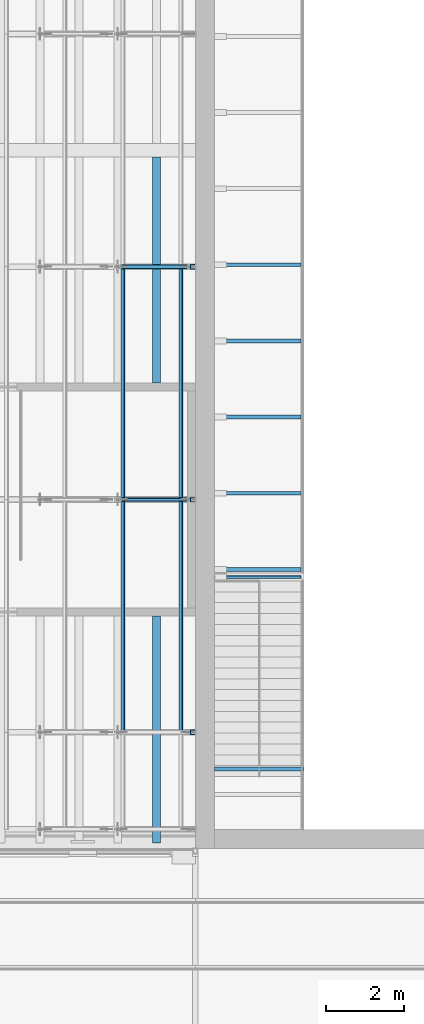
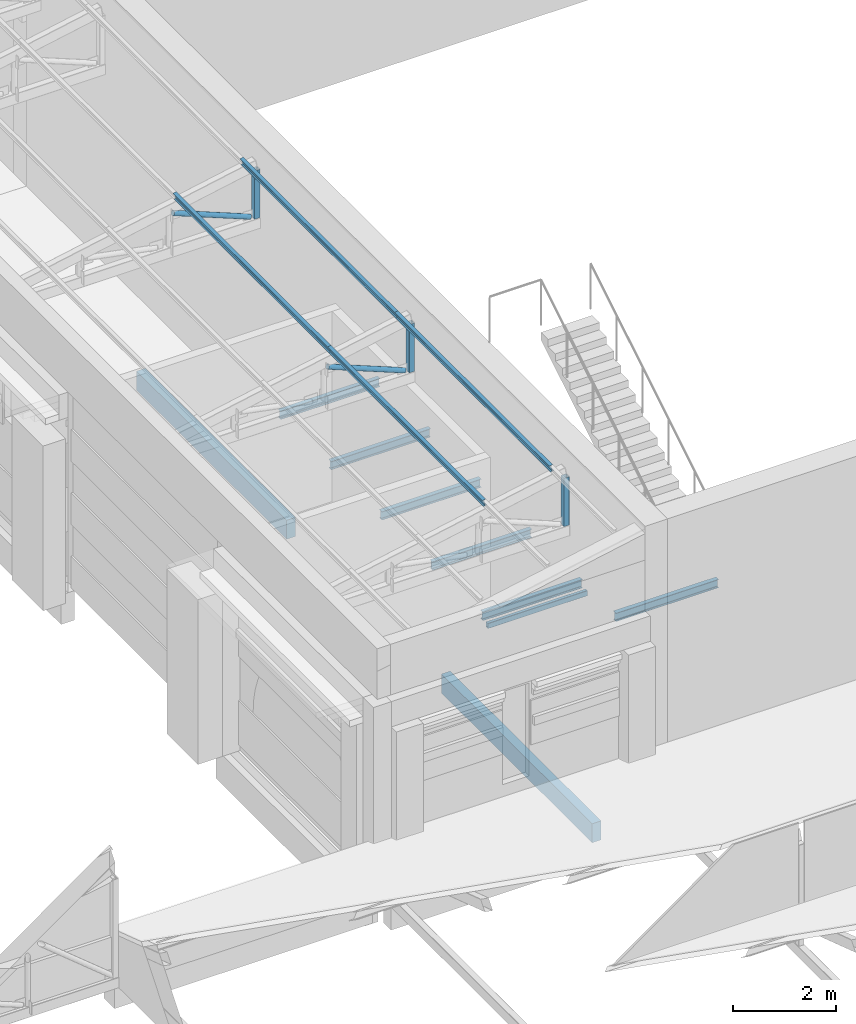
# One storey, part 26 of 118: 9 beams, 9 members.
"""IFC4 building model written with IfcOpenShell, lengths in metres."""

import ifcopenshell
import ifcopenshell.guid

model = None  # the IFC model being written
_history = None  # IfcOwnerHistory: only IFC2X3 demands one
_inside = {}  # id of a spatial element -> (the spatial element, [elements in it])
_under = {}  # id of a project, library or spatial element -> (it, [spatial elements below it])
_declared = {}  # id of a project -> (the project, [libraries it declares])
_typed = {}  # id of a type object -> (the type object, [elements of that type])
_made_of = {}  # id of a material, layer set ... -> (it, [elements and type objects made of it])


def new_model(schema):
    """Start an empty IFC model of exactly this schema.

    Asked for "IFC4X3", IfcOpenShell would pick the latest addendum, in which some entities
    have other attributes; the version numbers below select the first issue.
    IFC2X3 requires an IfcOwnerHistory on every rooted entity: one is made here for all.
    """
    global model, _history
    if schema == "IFC4X3":
        model = ifcopenshell.file(schema_version=(4, 3, 0, 0))
    else:
        model = ifcopenshell.file(schema=schema)
    _inside.clear()
    _under.clear()
    _declared.clear()
    _typed.clear()
    _made_of.clear()
    _history = None
    if model.schema == "IFC2X3":
        org = make("IfcOrganization", Name="unknown")
        user = make(
            "IfcPersonAndOrganization",
            ThePerson=make("IfcPerson", FamilyName="unknown"),
            TheOrganization=org,
        )
        app = make(
            "IfcApplication",
            ApplicationDeveloper=org,
            Version="unknown",
            ApplicationFullName="unknown",
            ApplicationIdentifier="unknown",
        )
        _history = make(
            "IfcOwnerHistory",
            OwningUser=user,
            OwningApplication=app,
            ChangeAction="ADDED",
            CreationDate=0,
        )
    return model


def make(cls, **values):
    """One entity of the class cls with the attributes given. An attribute that is None is left unset."""
    return model.create_entity(
        cls, **{name: value for name, value in values.items() if value is not None}
    )


def rooted(cls, **values):
    """An entity with a GlobalId (a new one), such as an element, a storey or a relation."""
    return make(cls, GlobalId=ifcopenshell.guid.new(), OwnerHistory=_history, **values)


def si_unit(unit_type, name, prefix=None):
    """IfcSIUnit, for example si_unit("LENGTHUNIT", "METRE", prefix="MILLI")."""
    return make("IfcSIUnit", UnitType=unit_type, Prefix=prefix, Name=name)


def assignment(units):
    """IfcUnitAssignment: the units of a project."""
    return None if units is None else make("IfcUnitAssignment", Units=units)


def point(xyz):
    """IfcCartesianPoint."""
    return None if xyz is None else make("IfcCartesianPoint", Coordinates=xyz)


def direction(xyz):
    """IfcDirection."""
    return None if xyz is None else make("IfcDirection", DirectionRatios=xyz)


def frame(location, z_axis=None, x_axis=None):
    """IfcAxis2Placement3D, a coordinate frame: its origin and axes. An axis left out is left unset."""
    return make(
        "IfcAxis2Placement3D",
        Location=point(location),
        Axis=direction(z_axis),
        RefDirection=direction(x_axis),
    )


def frame_2d(location, x_axis=None):
    """IfcAxis2Placement2D, a coordinate frame in the plane: its origin and x axis."""
    return make(
        "IfcAxis2Placement2D", Location=point(location), RefDirection=direction(x_axis)
    )


def origin():
    """The frame at (0, 0, 0) with its axes left unset."""
    return frame((0.0, 0.0, 0.0))


def origin_2d():
    """The frame at (0, 0) in the plane with its x axis left unset."""
    return frame_2d((0.0, 0.0))


def place(relative_to, where):
    """IfcLocalPlacement: puts the frame where relative to a parent placement (None: the world)."""
    return make(
        "IfcLocalPlacement", PlacementRelTo=relative_to, RelativePlacement=where
    )


def context(
    kind, dimensions, precision=None, world=None, true_north=None, identifier=None
):
    """IfcGeometricRepresentationContext, for example the 3D "Model" context."""
    return make(
        "IfcGeometricRepresentationContext",
        ContextIdentifier=identifier,
        ContextType=kind,
        CoordinateSpaceDimension=dimensions,
        Precision=precision,
        WorldCoordinateSystem=world,
        TrueNorth=true_north,
    )


def subcontext(parent, identifier, kind, view, scale=None):
    """IfcGeometricRepresentationSubContext, for example "Body" below "Model"."""
    return make(
        "IfcGeometricRepresentationSubContext",
        ContextIdentifier=identifier,
        ContextType=kind,
        ParentContext=parent,
        TargetScale=scale,
        TargetView=view,
    )


def project(units=None, contexts=None):
    """IfcProject with its units and contexts."""
    return rooted(
        "IfcProject",
        Name="project",
        RepresentationContexts=contexts,
        UnitsInContext=assignment(units),
    )


def spatial(cls, under=None, at=None, **own):
    """A site, building, storey or space (cls), placed at a placement, below another one or the project."""
    s = rooted(cls, ObjectPlacement=at, **own)
    if under is not None:
        _under.setdefault(under.id(), (under, []))[1].append(s)
    return s


def profile(cls, at=None, kind="AREA", **sizes):
    """A parametric profile (cls). Its sizes go by their IFC names, for example OverallWidth=200.0."""
    return make(cls, ProfileType=kind, Position=at, **sizes)


def rectangle(**sizes):
    """IfcRectangleProfileDef."""
    return profile("IfcRectangleProfileDef", **sizes)


def hollow_rectangle(**sizes):
    """IfcRectangleHollowProfileDef."""
    return profile("IfcRectangleHollowProfileDef", **sizes)


def hollow_circle(**sizes):
    """IfcCircleHollowProfileDef."""
    return profile("IfcCircleHollowProfileDef", **sizes)


def i_section(**sizes):
    """IfcIShapeProfileDef."""
    return profile("IfcIShapeProfileDef", **sizes)


def extrude(swept, where, along, depth):
    """IfcExtrudedAreaSolid: the profile swept, set in the frame where, extruded along a direction by depth."""
    return make(
        "IfcExtrudedAreaSolid",
        SweptArea=swept,
        Position=where,
        ExtrudedDirection=direction(along),
        Depth=depth,
    )


def shape(context_of_items, identifier, shape_type, items):
    """IfcShapeRepresentation: the items that make up one representation, for example the "Body"."""
    return make(
        "IfcShapeRepresentation",
        ContextOfItems=context_of_items,
        RepresentationIdentifier=identifier,
        RepresentationType=shape_type,
        Items=items,
    )


def material(Name=None, Category=None):
    """IfcMaterial."""
    return make("IfcMaterial", Name=Name, Category=Category)


def material_profile(
    of_material, cross_section, Name=None, Category=None, Priority=None
):
    """IfcMaterialProfile: a cross section and its material."""
    return make(
        "IfcMaterialProfile",
        Name=Name,
        Material=of_material,
        Profile=cross_section,
        Priority=Priority,
        Category=Category,
    )


def profile_set(profiles, Name=None, composite=None):
    """IfcMaterialProfileSet."""
    return make(
        "IfcMaterialProfileSet",
        Name=Name,
        MaterialProfiles=profiles,
        CompositeProfile=composite,
    )


def made_of(thing, what):
    """Note that an element or type object is made of a material, layer set ...; save() writes the relation."""
    if what is not None:
        _made_of.setdefault(what.id(), (what, []))[1].append(thing)
    return thing


def type_object(cls, material=None, **own):
    """A type object (cls), such as IfcWallType, which elements share."""
    return made_of(rooted(cls, **own), material)


def element(
    cls,
    number,
    at=None,
    inside=None,
    cuts=None,
    type_object=None,
    material=None,
    context=None,
    identifier="Body",
    shape_type=None,
    held_by="IfcProductDefinitionShape",
    body=None,
    shapes=None,
    **own,
):
    """One element of the class cls, such as IfcWall. Its Tag is "e" and its number.

    at: its placement. inside: the storey or other place that contains it. cuts: it is an
    opening in that element (IfcRelVoidsElement). A single representation is given by context,
    identifier, shape_type and body (its items); several are given by shapes. held_by: the class
    of the entity that holds the representations. save() writes the other relations.
    """
    e = rooted(cls, Tag="e%d" % number, ObjectPlacement=at, **own)
    if body is not None:
        shapes = [shape(context, identifier, shape_type, body)]
    if shapes is not None:
        e.Representation = make(held_by, Representations=shapes)
    if inside is not None:
        _inside.setdefault(inside.id(), (inside, []))[1].append(e)
    if cuts is not None:
        rooted(
            "IfcRelVoidsElement", RelatingBuildingElement=cuts, RelatedOpeningElement=e
        )
    if type_object is not None:
        _typed.setdefault(type_object.id(), (type_object, []))[1].append(e)
    return made_of(e, material)


def aggregate(whole, parts):
    """IfcRelAggregates: a whole, such as a stair, and the parts it consists of."""
    return rooted("IfcRelAggregates", RelatingObject=whole, RelatedObjects=parts)


def save(model, path):
    """Write the relations noted so far, then the file.

    IfcRelAggregates (storeys below a building ...), IfcRelContainedInSpatialStructure (elements
    in a storey), IfcRelDefinesByType, IfcRelAssociatesMaterial and IfcRelDeclares: one each for
    every whole, place, type object, material and project.
    """
    for whole, parts in _under.values():
        aggregate(whole, parts)
    for where, things in _inside.values():
        rooted(
            "IfcRelContainedInSpatialStructure",
            RelatedElements=things,
            RelatingStructure=where,
        )
    for kind, things in _typed.values():
        rooted("IfcRelDefinesByType", RelatedObjects=things, RelatingType=kind)
    for what, things in _made_of.values():
        rooted("IfcRelAssociatesMaterial", RelatedObjects=things, RelatingMaterial=what)
    for by, libraries in _declared.values():
        rooted("IfcRelDeclares", RelatingContext=by, RelatedDefinitions=libraries)
    model.write(path)


model = new_model("IFC4")

# Units and contexts
model_context = context("Model", 3, precision=1e-05, world=origin(), true_north=direction((0.0, 1.0)))
body_context = subcontext(model_context, "Body", "Model", "MODEL_VIEW")
ifc_project = project(units=[si_unit("LENGTHUNIT", "METRE"), si_unit("AREAUNIT", "SQUARE_METRE"), si_unit("VOLUMEUNIT", "CUBIC_METRE"), si_unit("PLANEANGLEUNIT", "RADIAN"), si_unit("MASSUNIT", "GRAM", prefix="KILO")], contexts=[model_context])

# Site, building, storey
site_placement = place(None, origin())
site = spatial("IfcSite", under=ifc_project, at=site_placement, CompositionType="ELEMENT")
building_placement = place(site_placement, origin())
building = spatial("IfcBuilding", under=site, at=building_placement, Name="Saffron Lane Theatres", CompositionType="ELEMENT")
storey_placement = place(building_placement, frame((0.0, 0.0, 16.5)))
storey = spatial("IfcBuildingStorey", under=building, at=storey_placement, Name="L03", CompositionType="ELEMENT", Elevation=16.5)

# Beams
ifc_material_1 = material(Name="Concrete N40 (40 MPa)", Category="concrete")
ifc_material_profile_1 = material_profile(ifc_material_1, rectangle(XDim=0.199951171875, YDim=0.449951171875, at=origin_2d()))
ifc_profile_set_1 = profile_set([ifc_material_profile_1], Name="Concrete N40 (40 MPa)")
beam_type_1 = type_object("IfcBeamType", Name="RC-JOIST 200x450", PredefinedType="JOIST", material=ifc_profile_set_1)
beam_1_placement = place(storey_placement, frame((17.0, 30.14990234375, -0.47509765625), z_axis=(0.0, 1.0, 0.0), x_axis=(-1.0, 0.0, 0.0)))
element("IfcBeam", 1, at=beam_1_placement, inside=storey, type_object=beam_type_1, Name="joist-L03-y1700-302", PredefinedType="JOIST", context=body_context, shape_type="SweptSolid", body=[
    extrude(rectangle(XDim=0.199951171875, YDim=0.449951171875, at=origin_2d()), origin(), (0.0, 0.0, 1.0), 5.85009765625),
])
beam_2_placement = place(storey_placement, frame((17.0, 42.0, -0.47509765625), z_axis=(0.0, 1.0, 0.0), x_axis=(-1.0, 0.0, 0.0)))
element("IfcBeam", 2, at=beam_2_placement, inside=storey, type_object=beam_type_1, Name="joist-L03-y1700-420", PredefinedType="JOIST", context=body_context, shape_type="SweptSolid", body=[
    extrude(rectangle(XDim=0.199951171875, YDim=0.449951171875, at=origin_2d()), origin(), (0.0, 0.0, 1.0), 5.824951171875),
])
ifc_material_2 = material(Name="Steel Grade 350", Category="steel")
ifc_material_profile_2 = material_profile(ifc_material_2, i_section(OverallWidth=0.09912109375, OverallDepth=0.197998046875, WebThickness=0.00439453125, FlangeThickness=0.007080078125, FilletRadius=0.010986328125, at=origin_2d()))
ifc_profile_set_2 = profile_set([ifc_material_profile_2], Name="Steel Grade 350")
beam_type_2 = type_object("IfcBeamType", Name="ST-GALLERY BEAM 200UB18.2", PredefinedType="BEAM", material=ifc_profile_set_2)
for number, where, z_axis, x_axis, name in (
    (3, (18.5, 37.199951171875, -0.14892578125), (1.0, 0.0, 0.0), (0.0, 1.0, 0.0), "FBW16.5-2"),
    (4, (18.5, 39.16259765625, -0.14892578125), (1.0, 0.0, 0.0), (0.0, 1.0, 0.0), "FBW16.5-3"),
    (5, (18.5, 41.125, -0.14892578125), (1.0, 0.0, 0.0), (0.0, 1.0, 0.0), "FBW16.5-4"),
    (6, (18.5, 43.08740234375, -0.14892578125), (1.0, 0.0, 0.0), (0.0, 1.0, 0.0), "FBW16.5-5"),
    (7, (18.5, 45.050048828125, -0.14892578125), (1.0, 0.0, 0.0), (0.0, 1.0, 0.0), "FBW16.5-6"),
):
    element("IfcBeam", number, at=place(storey_placement, frame(where, z_axis=z_axis, x_axis=x_axis)), inside=storey, type_object=beam_type_2, Name=name, PredefinedType="BEAM", context=body_context, shape_type="SweptSolid", body=[
        extrude(i_section(OverallWidth=0.09912109375, OverallDepth=0.197998046875, WebThickness=0.00439453125, FlangeThickness=0.007080078125, FilletRadius=0.010986328125, at=origin_2d()), origin(), (0.0, 0.0, 1.0), 2.22509765625),
    ])
beam_3_placement = place(storey_placement, frame((18.5, 32.050048828125, 2.950927734375), z_axis=(1.0, 0.0, 0.0), x_axis=(0.0, 1.0, 0.0)))
element("IfcBeam", 8, at=beam_3_placement, inside=storey, type_object=beam_type_2, Name="FLW19.75-2", PredefinedType="BEAM", context=body_context, shape_type="SweptSolid", body=[
    extrude(i_section(OverallWidth=0.09912109375, OverallDepth=0.197998046875, WebThickness=0.00439453125, FlangeThickness=0.007080078125, FilletRadius=0.010986328125, at=origin_2d()), origin(), (0.0, 0.0, 1.0), 2.300048828125),
])
ifc_material_3 = material(Name="Steel Grade 350", Category="steel")
ifc_material_profile_3 = material_profile(ifc_material_3, hollow_rectangle(XDim=0.074951171875, YDim=0.125, WallThickness=0.0048828125, InnerFilletRadius=0.00244140625, OuterFilletRadius=0.007568359375, at=origin_2d()))
ifc_profile_set_3 = profile_set([ifc_material_profile_3], Name="Steel Grade 350")
beam_type_3 = type_object("IfcBeamType", Name="ST-GALLERY EDGE 125x75x5 RHS", PredefinedType="BEAM", material=ifc_profile_set_3)
beam_4_placement = place(storey_placement, frame((18.5, 37.0, -0.262451171875), z_axis=(1.0, 0.0, 0.0), x_axis=(0.0, 1.0, 0.0)))
element("IfcBeam", 9, at=beam_4_placement, inside=storey, type_object=beam_type_3, Name="FBW16.5-1", PredefinedType="BEAM", context=body_context, shape_type="SweptSolid", body=[
    extrude(hollow_rectangle(XDim=0.074951171875, YDim=0.125, WallThickness=0.0048828125, InnerFilletRadius=0.00244140625, OuterFilletRadius=0.007568359375, at=origin_2d()), origin(), (0.0, 0.0, 1.0), 2.22509765625),
])

# Members
ifc_material_4 = material(Name="Steel Grade 350", Category="steel")
ifc_material_profile_4 = material_profile(ifc_material_4, hollow_rectangle(XDim=0.125, YDim=0.125, WallThickness=0.006103515625, InnerFilletRadius=0.0029296875, OuterFilletRadius=0.009033203125, at=origin_2d()))
ifc_profile_set_4 = profile_set([ifc_material_profile_4], Name="Steel Grade 350")
member_type_1 = type_object("IfcMemberType", Name="ST-STUDIO POST 125x125x6 SHS", PredefinedType="POST", material=ifc_profile_set_4)
for number, where, z_axis, x_axis, name in (
    (10, (17.9375, 33.0, 4.75), (0.0, 0.0, 1.0), (1.0, 0.0, 0.0), "SB3-P10"),
    (11, (17.9375, 39.0, 4.75), (0.0, 0.0, 1.0), (1.0, 0.0, 0.0), "SB3-P17"),
    (12, (17.9375, 45.0, 4.75), (0.0, 0.0, 1.0), (1.0, 0.0, 0.0), "SB3-P24"),
):
    element("IfcMember", number, at=place(storey_placement, frame(where, z_axis=z_axis, x_axis=x_axis)), inside=storey, type_object=member_type_1, Name=name, PredefinedType="POST", context=body_context, shape_type="SweptSolid", body=[
        extrude(hollow_rectangle(XDim=0.125, YDim=0.125, WallThickness=0.006103515625, InnerFilletRadius=0.0029296875, OuterFilletRadius=0.009033203125, at=origin_2d()), origin(), (0.0, 0.0, 1.0), 1.140869140625),
    ])
ifc_material_5 = material(Name="Steel Grade 350", Category="steel")
ifc_material_profile_5 = material_profile(ifc_material_5, i_section(OverallWidth=0.074951171875, OverallDepth=0.155029296875, WebThickness=0.006103515625, FlangeThickness=0.009521484375, FilletRadius=0.008056640625, at=origin_2d()))
ifc_profile_set_5 = profile_set([ifc_material_profile_5], Name="Steel Grade 350")
member_type_2 = type_object("IfcMemberType", Name="ST-STUDIO PURLIN 150UB18.0", PredefinedType="PURLIN", material=ifc_profile_set_5)
for number, where, z_axis, x_axis, name in (
    (13, (16.137451171875, 33.0, 5.88720703125), (0.0, 1.0, 0.0), (-0.981660567439, 0.0, -0.190637169344), "SB3-U54"),
    (14, (16.137451171875, 39.0, 5.88720703125), (0.0, 1.0, 0.0), (-0.981660567439, 0.0, -0.190637169344), "SB3-U55"),
    (15, (17.637451171875, 33.0, 6.178466796875), (0.0, 1.0, 0.0), (-0.981660567439, 0.0, -0.190637169344), "SB3-U59"),
    (16, (17.637451171875, 39.0, 6.178466796875), (0.0, 1.0, 0.0), (-0.981660567439, 0.0, -0.190637169344), "SB3-U60"),
):
    element("IfcMember", number, at=place(storey_placement, frame(where, z_axis=z_axis, x_axis=x_axis)), inside=storey, type_object=member_type_2, Name=name, PredefinedType="PURLIN", context=body_context, shape_type="SweptSolid", body=[
        extrude(i_section(OverallWidth=0.074951171875, OverallDepth=0.155029296875, WebThickness=0.006103515625, FlangeThickness=0.009521484375, FilletRadius=0.008056640625, at=origin_2d()), origin(), (0.0, 0.0, 1.0), 6.0),
    ])
ifc_material_6 = material(Name="Steel Grade 350", Category="steel")
ifc_material_profile_6 = material_profile(ifc_material_6, hollow_circle(Radius=0.05712890625, WallThickness=0.006103515625, at=origin_2d()))
ifc_profile_set_6 = profile_set([ifc_material_profile_6], Name="Steel Grade 350")
member_type_3 = type_object("IfcMemberType", Name="ST-STUDIO TRUSS WEB 114.3x6.0 CHS", PredefinedType="BRACE", material=ifc_profile_set_6)
for number, where, z_axis, x_axis, name in (
    (17, (17.80517578125, 39.0, 4.802978515625), (-0.928149794968, 0.0, 0.372206875409), (0.0, -1.0, 0.0), "SB3-W20"),
    (18, (17.80517578125, 45.0, 4.802978515625), (-0.928149794968, 0.0, 0.372206875409), (0.0, -1.0, 0.0), "SB3-W27"),
):
    element("IfcMember", number, at=place(storey_placement, frame(where, z_axis=z_axis, x_axis=x_axis)), inside=storey, type_object=member_type_3, Name=name, PredefinedType="BRACE", context=body_context, shape_type="SweptSolid", body=[
        extrude(hollow_circle(Radius=0.05712890625, WallThickness=0.006103515625, at=origin_2d()), origin(), (0.0, 0.0, 1.0), 1.856201171875),
    ])

save(model, "model.ifc")
